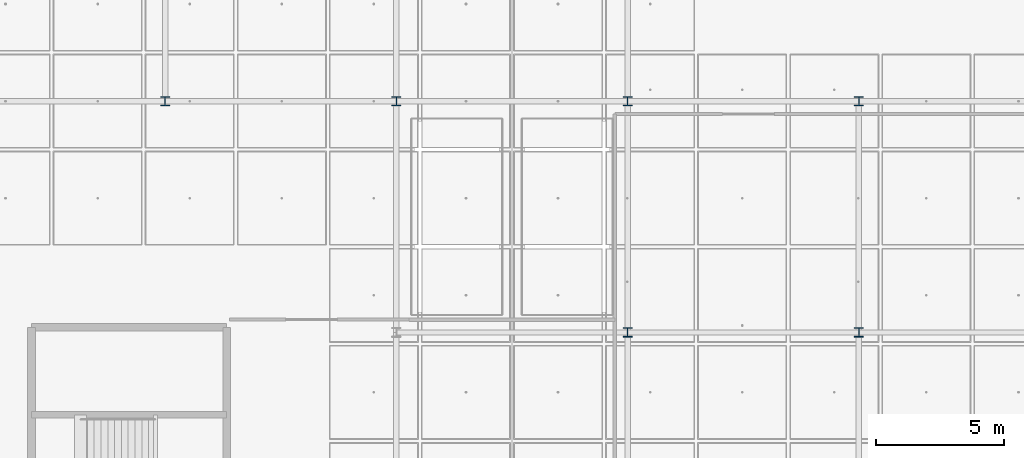
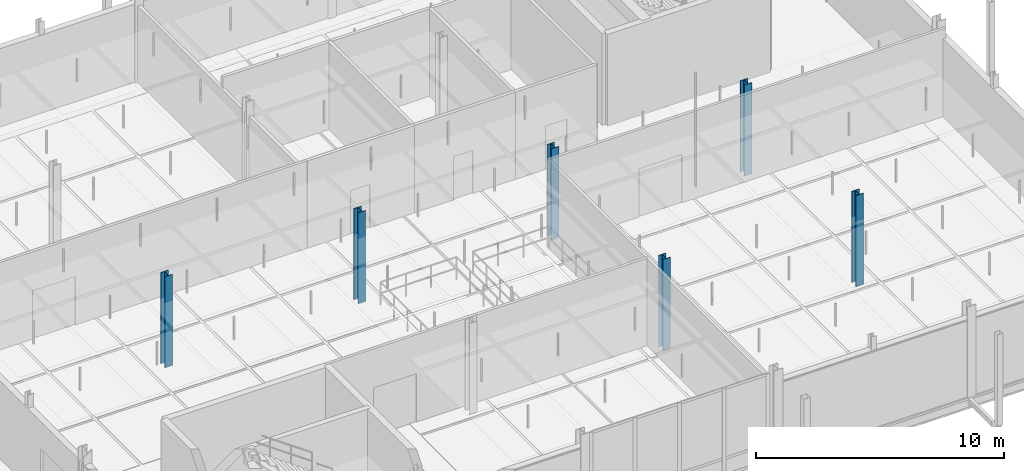
# One storey, part 7 of 130: 6 columns.
"""IFC4 building model written with IfcOpenShell, lengths in metres."""

import ifcopenshell
import ifcopenshell.guid

model = None  # the IFC model being written
_history = None  # IfcOwnerHistory: only IFC2X3 demands one
_inside = {}  # id of a spatial element -> (the spatial element, [elements in it])
_under = {}  # id of a project, library or spatial element -> (it, [spatial elements below it])
_declared = {}  # id of a project -> (the project, [libraries it declares])
_typed = {}  # id of a type object -> (the type object, [elements of that type])
_made_of = {}  # id of a material, layer set ... -> (it, [elements and type objects made of it])


def new_model(schema):
    """Start an empty IFC model of exactly this schema.

    Asked for "IFC4X3", IfcOpenShell would pick the latest addendum, in which some entities
    have other attributes; the version numbers below select the first issue.
    IFC2X3 requires an IfcOwnerHistory on every rooted entity: one is made here for all.
    """
    global model, _history
    if schema == "IFC4X3":
        model = ifcopenshell.file(schema_version=(4, 3, 0, 0))
    else:
        model = ifcopenshell.file(schema=schema)
    _inside.clear()
    _under.clear()
    _declared.clear()
    _typed.clear()
    _made_of.clear()
    _history = None
    if model.schema == "IFC2X3":
        org = make("IfcOrganization", Name="unknown")
        user = make(
            "IfcPersonAndOrganization",
            ThePerson=make("IfcPerson", FamilyName="unknown"),
            TheOrganization=org,
        )
        app = make(
            "IfcApplication",
            ApplicationDeveloper=org,
            Version="unknown",
            ApplicationFullName="unknown",
            ApplicationIdentifier="unknown",
        )
        _history = make(
            "IfcOwnerHistory",
            OwningUser=user,
            OwningApplication=app,
            ChangeAction="ADDED",
            CreationDate=0,
        )
    return model


def make(cls, **values):
    """One entity of the class cls with the attributes given. An attribute that is None is left unset."""
    return model.create_entity(
        cls, **{name: value for name, value in values.items() if value is not None}
    )


def rooted(cls, **values):
    """An entity with a GlobalId (a new one), such as an element, a storey or a relation."""
    return make(cls, GlobalId=ifcopenshell.guid.new(), OwnerHistory=_history, **values)


def si_unit(unit_type, name, prefix=None):
    """IfcSIUnit, for example si_unit("LENGTHUNIT", "METRE", prefix="MILLI")."""
    return make("IfcSIUnit", UnitType=unit_type, Prefix=prefix, Name=name)


def assignment(units):
    """IfcUnitAssignment: the units of a project."""
    return None if units is None else make("IfcUnitAssignment", Units=units)


def point(xyz):
    """IfcCartesianPoint."""
    return None if xyz is None else make("IfcCartesianPoint", Coordinates=xyz)


def direction(xyz):
    """IfcDirection."""
    return None if xyz is None else make("IfcDirection", DirectionRatios=xyz)


def frame(location, z_axis=None, x_axis=None):
    """IfcAxis2Placement3D, a coordinate frame: its origin and axes. An axis left out is left unset."""
    return make(
        "IfcAxis2Placement3D",
        Location=point(location),
        Axis=direction(z_axis),
        RefDirection=direction(x_axis),
    )


def frame_2d(location, x_axis=None):
    """IfcAxis2Placement2D, a coordinate frame in the plane: its origin and x axis."""
    return make(
        "IfcAxis2Placement2D", Location=point(location), RefDirection=direction(x_axis)
    )


def origin():
    """The frame at (0, 0, 0) with its axes left unset."""
    return frame((0.0, 0.0, 0.0))


def origin_2d():
    """The frame at (0, 0) in the plane with its x axis left unset."""
    return frame_2d((0.0, 0.0))


def place(relative_to, where):
    """IfcLocalPlacement: puts the frame where relative to a parent placement (None: the world)."""
    return make(
        "IfcLocalPlacement", PlacementRelTo=relative_to, RelativePlacement=where
    )


def context(
    kind, dimensions, precision=None, world=None, true_north=None, identifier=None
):
    """IfcGeometricRepresentationContext, for example the 3D "Model" context."""
    return make(
        "IfcGeometricRepresentationContext",
        ContextIdentifier=identifier,
        ContextType=kind,
        CoordinateSpaceDimension=dimensions,
        Precision=precision,
        WorldCoordinateSystem=world,
        TrueNorth=true_north,
    )


def subcontext(parent, identifier, kind, view, scale=None):
    """IfcGeometricRepresentationSubContext, for example "Body" below "Model"."""
    return make(
        "IfcGeometricRepresentationSubContext",
        ContextIdentifier=identifier,
        ContextType=kind,
        ParentContext=parent,
        TargetScale=scale,
        TargetView=view,
    )


def project(units=None, contexts=None):
    """IfcProject with its units and contexts."""
    return rooted(
        "IfcProject",
        Name="project",
        RepresentationContexts=contexts,
        UnitsInContext=assignment(units),
    )


def spatial(cls, under=None, at=None, **own):
    """A site, building, storey or space (cls), placed at a placement, below another one or the project."""
    s = rooted(cls, ObjectPlacement=at, **own)
    if under is not None:
        _under.setdefault(under.id(), (under, []))[1].append(s)
    return s


def profile(cls, at=None, kind="AREA", **sizes):
    """A parametric profile (cls). Its sizes go by their IFC names, for example OverallWidth=200.0."""
    return make(cls, ProfileType=kind, Position=at, **sizes)


def i_section(**sizes):
    """IfcIShapeProfileDef."""
    return profile("IfcIShapeProfileDef", **sizes)


def extrude(swept, where, along, depth):
    """IfcExtrudedAreaSolid: the profile swept, set in the frame where, extruded along a direction by depth."""
    return make(
        "IfcExtrudedAreaSolid",
        SweptArea=swept,
        Position=where,
        ExtrudedDirection=direction(along),
        Depth=depth,
    )


def shape(context_of_items, identifier, shape_type, items):
    """IfcShapeRepresentation: the items that make up one representation, for example the "Body"."""
    return make(
        "IfcShapeRepresentation",
        ContextOfItems=context_of_items,
        RepresentationIdentifier=identifier,
        RepresentationType=shape_type,
        Items=items,
    )


def material(Name=None, Category=None):
    """IfcMaterial."""
    return make("IfcMaterial", Name=Name, Category=Category)


def material_profile(
    of_material, cross_section, Name=None, Category=None, Priority=None
):
    """IfcMaterialProfile: a cross section and its material."""
    return make(
        "IfcMaterialProfile",
        Name=Name,
        Material=of_material,
        Profile=cross_section,
        Priority=Priority,
        Category=Category,
    )


def profile_set(profiles, Name=None, composite=None):
    """IfcMaterialProfileSet."""
    return make(
        "IfcMaterialProfileSet",
        Name=Name,
        MaterialProfiles=profiles,
        CompositeProfile=composite,
    )


def made_of(thing, what):
    """Note that an element or type object is made of a material, layer set ...; save() writes the relation."""
    if what is not None:
        _made_of.setdefault(what.id(), (what, []))[1].append(thing)
    return thing


def type_object(cls, material=None, **own):
    """A type object (cls), such as IfcWallType, which elements share."""
    return made_of(rooted(cls, **own), material)


def element(
    cls,
    number,
    at=None,
    inside=None,
    cuts=None,
    type_object=None,
    material=None,
    context=None,
    identifier="Body",
    shape_type=None,
    held_by="IfcProductDefinitionShape",
    body=None,
    shapes=None,
    **own,
):
    """One element of the class cls, such as IfcWall. Its Tag is "e" and its number.

    at: its placement. inside: the storey or other place that contains it. cuts: it is an
    opening in that element (IfcRelVoidsElement). A single representation is given by context,
    identifier, shape_type and body (its items); several are given by shapes. held_by: the class
    of the entity that holds the representations. save() writes the other relations.
    """
    e = rooted(cls, Tag="e%d" % number, ObjectPlacement=at, **own)
    if body is not None:
        shapes = [shape(context, identifier, shape_type, body)]
    if shapes is not None:
        e.Representation = make(held_by, Representations=shapes)
    if inside is not None:
        _inside.setdefault(inside.id(), (inside, []))[1].append(e)
    if cuts is not None:
        rooted(
            "IfcRelVoidsElement", RelatingBuildingElement=cuts, RelatedOpeningElement=e
        )
    if type_object is not None:
        _typed.setdefault(type_object.id(), (type_object, []))[1].append(e)
    return made_of(e, material)


def aggregate(whole, parts):
    """IfcRelAggregates: a whole, such as a stair, and the parts it consists of."""
    return rooted("IfcRelAggregates", RelatingObject=whole, RelatedObjects=parts)


def save(model, path):
    """Write the relations noted so far, then the file.

    IfcRelAggregates (storeys below a building ...), IfcRelContainedInSpatialStructure (elements
    in a storey), IfcRelDefinesByType, IfcRelAssociatesMaterial and IfcRelDeclares: one each for
    every whole, place, type object, material and project.
    """
    for whole, parts in _under.values():
        aggregate(whole, parts)
    for where, things in _inside.values():
        rooted(
            "IfcRelContainedInSpatialStructure",
            RelatedElements=things,
            RelatingStructure=where,
        )
    for kind, things in _typed.values():
        rooted("IfcRelDefinesByType", RelatedObjects=things, RelatingType=kind)
    for what, things in _made_of.values():
        rooted("IfcRelAssociatesMaterial", RelatedObjects=things, RelatingMaterial=what)
    for by, libraries in _declared.values():
        rooted("IfcRelDeclares", RelatingContext=by, RelatedDefinitions=libraries)
    model.write(path)


model = new_model("IFC4")

# Units and contexts
model_context = context("Model", 3, precision=1e-05, world=origin(), true_north=direction((0.0, 1.0)))
body_context = subcontext(model_context, "Body", "Model", "MODEL_VIEW")
ifc_project = project(units=[si_unit("LENGTHUNIT", "METRE"), si_unit("AREAUNIT", "SQUARE_METRE"), si_unit("VOLUMEUNIT", "CUBIC_METRE"), si_unit("PLANEANGLEUNIT", "RADIAN"), si_unit("MASSUNIT", "GRAM", prefix="KILO"), si_unit("THERMODYNAMICTEMPERATUREUNIT", "KELVIN"), si_unit("POWERUNIT", "WATT")], contexts=[model_context])

# Site, building, storey
site_placement = place(None, origin())
site = spatial("IfcSite", under=ifc_project, at=site_placement, CompositionType="ELEMENT")
building_placement = place(site_placement, origin())
building = spatial("IfcBuilding", under=site, at=building_placement, Name="Tallowbark Science Centre", CompositionType="ELEMENT")
storey_placement = place(building_placement, frame((0.0, 0.0, 5.39990234375)))
storey = spatial("IfcBuildingStorey", under=building, at=storey_placement, Name="L01", CompositionType="ELEMENT", Elevation=5.39990234375)

# Columns
ifc_material = material(Name="Structural Steel Grade 300PLUS (300 MPa)", Category="steel")
ifc_material_profile = material_profile(ifc_material, i_section(OverallWidth=0.35009765625, OverallDepth=0.35888671875, WebThickness=0.01611328125, FlangeThickness=0.02392578125, FilletRadius=0.013916015625, at=origin_2d()), Name="350WC197")
ifc_profile_set = profile_set([ifc_material_profile], Name="Structural Steel Grade 300PLUS (300 MPa)")
column_type = type_object("IfcColumnType", Name="COL-WC350", PredefinedType="COLUMN", material=ifc_profile_set)
for number, where, z_axis, x_axis, name in (
    (1, (67.5, 22.5, 0.0), (0.0, 0.0, 1.0), (1.0, 0.0, 0.0), "Column CUB-M1_2 L01"),
    (2, (76.5, 22.5, 0.0), (0.0, 0.0, 1.0), (1.0, 0.0, 0.0), "Column CUB-M2_2 L01"),
    (3, (85.5, 13.5, 0.0), (0.0, 0.0, 1.0), (1.0, 0.0, 0.0), "Column CUB-M3_1 L01"),
    (4, (85.5, 22.5, 0.0), (0.0, 0.0, 1.0), (1.0, 0.0, 0.0), "Column CUB-M3_2 L01"),
    (5, (94.5, 13.5, 0.0), (0.0, 0.0, 1.0), (1.0, 0.0, 0.0), "Column CUB-M4_1 L01"),
    (6, (94.5, 22.5, 0.0), (0.0, 0.0, 1.0), (1.0, 0.0, 0.0), "Column CUB-M4_2 L01"),
):
    element("IfcColumn", number, at=place(storey_placement, frame(where, z_axis=z_axis, x_axis=x_axis)), inside=storey, type_object=column_type, Name=name, PredefinedType="COLUMN", context=body_context, shape_type="SweptSolid", body=[
        extrude(i_section(OverallWidth=0.35009765625, OverallDepth=0.35888671875, WebThickness=0.01611328125, FlangeThickness=0.02392578125, FilletRadius=0.013916015625, at=origin_2d()), origin(), (0.0, 0.0, 1.0), 4.5),
    ])

save(model, "model.ifc")
